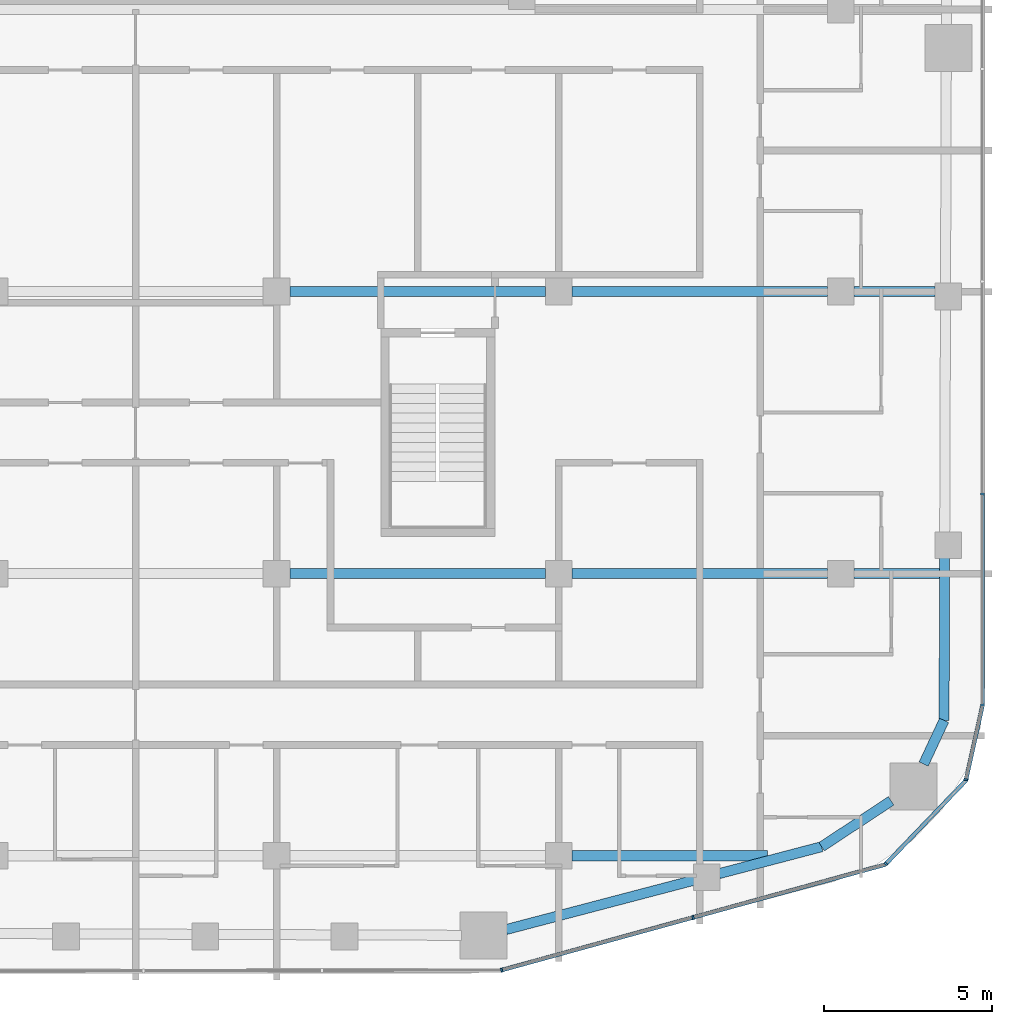
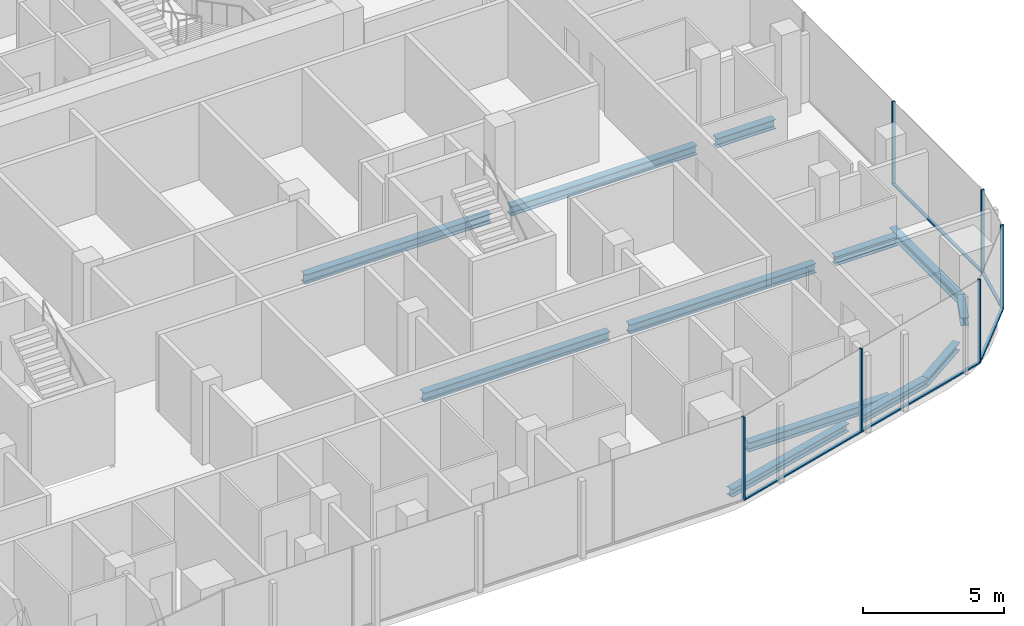
# One storey, part 6 of 22: 12 beams, 11 members, 4 elements without a shape of their own.
"""IFC4 building model written with IfcOpenShell, lengths in metres."""

from ifc_helpers import new_model, si_unit, direction, frame, origin, origin_2d, place, context, subcontext, project, spatial, rectangle, i_section, extrude, material, layer, layer_set, material_profile, profile_set, type_object, element, aggregate, save


model = new_model("IFC4")

# Units and contexts
model_context = context("Model", 3, precision=1e-05, world=origin(), true_north=direction((0.0, 1.0)))
body_context = subcontext(model_context, "Body", "Model", "MODEL_VIEW")
ifc_project = project(units=[si_unit("LENGTHUNIT", "METRE"), si_unit("AREAUNIT", "SQUARE_METRE"), si_unit("VOLUMEUNIT", "CUBIC_METRE"), si_unit("PLANEANGLEUNIT", "RADIAN"), si_unit("MASSUNIT", "GRAM", prefix="KILO")], contexts=[model_context])

# Site, building, storey
site_placement = place(None, origin())
site = spatial("IfcSite", under=ifc_project, at=site_placement, CompositionType="ELEMENT")
building_placement = place(site_placement, origin())
building = spatial("IfcBuilding", under=site, at=building_placement, Name="Marenta Gate Hotel Tower", CompositionType="ELEMENT")
storey_placement = place(building_placement, frame((0.0, 0.0, 209.300048828125)))
storey = spatial("IfcBuildingStorey", under=building, at=storey_placement, Name="L48", CompositionType="ELEMENT", Elevation=209.300048828125)

# Beams
ifc_material_1 = material(Name="Steel S355", Category="steel")
ifc_material_profile_1 = material_profile(ifc_material_1, i_section(OverallWidth=0.300048828125, OverallDepth=0.340087890625, WebThickness=0.011962890625, FlangeThickness=0.021484375, FilletRadius=0.027099609375, at=origin_2d()), Name="HEB 340")
ifc_profile_set_1 = profile_set([ifc_material_profile_1], Name="Steel S355")
beam_type_1 = type_object("IfcBeamType", Name="Edge beam HEB 340", PredefinedType="SPANDREL", material=ifc_profile_set_1)
beam_1_placement = place(storey_placement, frame((24.09130859375, -16.31201171875, -0.429931640625), z_axis=(-0.003318732666, -0.999994492992, 0.0), x_axis=(0.999994492992, -0.003318732666, 0.0)))
element("IfcBeam", 1, at=beam_1_placement, inside=storey, type_object=beam_type_1, Name="L48-EB-27", PredefinedType="SPANDREL", context=body_context, shape_type="SweptSolid", body=[
    extrude(i_section(OverallWidth=0.300048828125, OverallDepth=0.340087890625, WebThickness=0.011962890625, FlangeThickness=0.021484375, FilletRadius=0.027099609375, at=origin_2d()), origin(), (0.0, 0.0, 1.0), 4.855224609375),
])
beam_2_placement = place(storey_placement, frame((24.0751953125, -21.167236328125, -0.429931640625), z_axis=(-0.423341112024, -0.905970365338, 0.0), x_axis=(0.905970365338, -0.423341112024, 0.0)))
element("IfcBeam", 2, at=beam_2_placement, inside=storey, type_object=beam_type_1, Name="L48-EB-28", PredefinedType="SPANDREL", context=body_context, shape_type="SweptSolid", body=[
    extrude(i_section(OverallWidth=0.300048828125, OverallDepth=0.340087890625, WebThickness=0.011962890625, FlangeThickness=0.021484375, FilletRadius=0.027099609375, at=origin_2d()), origin(), (0.0, 0.0, 1.0), 1.437255859375),
])
beam_3_placement = place(storey_placement, frame((22.496337890625, -23.56640625, -0.429931640625), z_axis=(-0.834528740585, -0.550964410047, 0.0), x_axis=(0.550964410047, -0.834528740585, 0.0)))
element("IfcBeam", 3, at=beam_3_placement, inside=storey, type_object=beam_type_1, Name="L48-EB-29", PredefinedType="SPANDREL", context=body_context, shape_type="SweptSolid", body=[
    extrude(i_section(OverallWidth=0.300048828125, OverallDepth=0.340087890625, WebThickness=0.011962890625, FlangeThickness=0.021484375, FilletRadius=0.027099609375, at=origin_2d()), origin(), (0.0, 0.0, 1.0), 2.47705078125),
])
beam_4_placement = place(storey_placement, frame((20.42919921875, -24.93115234375, -0.429931640625), z_axis=(-0.967235227858, -0.253881889845, 0.0), x_axis=(0.253881889845, -0.967235227858, 0.0)))
element("IfcBeam", 4, at=beam_4_placement, inside=storey, type_object=beam_type_1, Name="L48-EB-30", PredefinedType="SPANDREL", context=body_context, shape_type="SweptSolid", body=[
    extrude(i_section(OverallWidth=0.300048828125, OverallDepth=0.340087890625, WebThickness=0.011962890625, FlangeThickness=0.021484375, FilletRadius=0.027099609375, at=origin_2d()), origin(), (0.0, 0.0, 1.0), 3.164794921875),
])
beam_5_placement = place(storey_placement, frame((16.6455078125, -25.92431640625, -0.429931640625), z_axis=(-0.96723496524, -0.253882890359, 0.0), x_axis=(0.253882890359, -0.96723496524, 0.0)))
element("IfcBeam", 5, at=beam_5_placement, inside=storey, type_object=beam_type_1, Name="L48-EB-31", PredefinedType="SPANDREL", context=body_context, shape_type="SweptSolid", body=[
    extrude(i_section(OverallWidth=0.300048828125, OverallDepth=0.340087890625, WebThickness=0.011962890625, FlangeThickness=0.021484375, FilletRadius=0.027099609375, at=origin_2d()), origin(), (0.0, 0.0, 1.0), 5.80810546875),
])
ifc_material_2 = material(Name="Steel S355", Category="steel")
ifc_material_profile_2 = material_profile(ifc_material_2, i_section(OverallWidth=0.300048828125, OverallDepth=0.39990234375, WebThickness=0.013427734375, FlangeThickness=0.02392578125, FilletRadius=0.027099609375, at=origin_2d()), Name="HEB 400")
ifc_profile_set_2 = profile_set([ifc_material_profile_2], Name="Steel S355")
beam_type_2 = type_object("IfcBeamType", Name="Girder HEB 400", PredefinedType="BEAM", material=ifc_profile_set_2)
beam_6_placement = place(storey_placement, frame((13.0, -25.199951171875, -0.4599609375), z_axis=(1.0, 0.0, 0.0), x_axis=(0.0, 1.0, 0.0)))
element("IfcBeam", 6, at=beam_6_placement, inside=storey, type_object=beam_type_2, Name="L48-GD-5", PredefinedType="BEAM", context=body_context, shape_type="SweptSolid", body=[
    extrude(i_section(OverallWidth=0.300048828125, OverallDepth=0.39990234375, WebThickness=0.013427734375, FlangeThickness=0.02392578125, FilletRadius=0.027099609375, at=origin_2d()), origin(), (0.0, 0.0, 1.0), 5.81396484375),
])
beam_7_placement = place(storey_placement, frame((4.60009765625, -16.800048828125, -0.4599609375), z_axis=(1.0, 0.0, 0.0), x_axis=(0.0, 1.0, 0.0)))
element("IfcBeam", 7, at=beam_7_placement, inside=storey, type_object=beam_type_2, Name="L48-GD-10", PredefinedType="BEAM", context=body_context, shape_type="SweptSolid", body=[
    extrude(i_section(OverallWidth=0.300048828125, OverallDepth=0.39990234375, WebThickness=0.013427734375, FlangeThickness=0.02392578125, FilletRadius=0.027099609375, at=origin_2d()), origin(), (0.0, 0.0, 1.0), 7.599853515625),
])
beam_8_placement = place(storey_placement, frame((13.0, -16.800048828125, -0.4599609375), z_axis=(1.0, 0.0, 0.0), x_axis=(0.0, 1.0, 0.0)))
element("IfcBeam", 8, at=beam_8_placement, inside=storey, type_object=beam_type_2, Name="L48-GD-11", PredefinedType="BEAM", context=body_context, shape_type="SweptSolid", body=[
    extrude(i_section(OverallWidth=0.300048828125, OverallDepth=0.39990234375, WebThickness=0.013427734375, FlangeThickness=0.02392578125, FilletRadius=0.027099609375, at=origin_2d()), origin(), (0.0, 0.0, 1.0), 7.60009765625),
])
beam_9_placement = place(storey_placement, frame((21.39990234375, -16.800048828125, -0.4599609375), z_axis=(1.0, 0.0, 0.0), x_axis=(0.0, 1.0, 0.0)))
element("IfcBeam", 9, at=beam_9_placement, inside=storey, type_object=beam_type_2, Name="L48-GD-12", PredefinedType="BEAM", context=body_context, shape_type="SweptSolid", body=[
    extrude(i_section(OverallWidth=0.300048828125, OverallDepth=0.39990234375, WebThickness=0.013427734375, FlangeThickness=0.02392578125, FilletRadius=0.027099609375, at=origin_2d()), origin(), (0.0, 0.0, 1.0), 2.539794921875),
])
beam_10_placement = place(storey_placement, frame((4.60009765625, -8.39990234375, -0.4599609375), z_axis=(1.0, 0.0, 0.0), x_axis=(0.0, 1.0, 0.0)))
element("IfcBeam", 10, at=beam_10_placement, inside=storey, type_object=beam_type_2, Name="L48-GD-17", PredefinedType="BEAM", context=body_context, shape_type="SweptSolid", body=[
    extrude(i_section(OverallWidth=0.300048828125, OverallDepth=0.39990234375, WebThickness=0.013427734375, FlangeThickness=0.02392578125, FilletRadius=0.027099609375, at=origin_2d()), origin(), (0.0, 0.0, 1.0), 7.599853515625),
])
beam_11_placement = place(storey_placement, frame((13.0, -8.39990234375, -0.4599609375), z_axis=(1.0, 0.0, 0.0), x_axis=(0.0, 1.0, 0.0)))
element("IfcBeam", 11, at=beam_11_placement, inside=storey, type_object=beam_type_2, Name="L48-GD-18", PredefinedType="BEAM", context=body_context, shape_type="SweptSolid", body=[
    extrude(i_section(OverallWidth=0.300048828125, OverallDepth=0.39990234375, WebThickness=0.013427734375, FlangeThickness=0.02392578125, FilletRadius=0.027099609375, at=origin_2d()), origin(), (0.0, 0.0, 1.0), 7.60009765625),
])
beam_12_placement = place(storey_placement, frame((21.39990234375, -8.39990234375, -0.4599609375), z_axis=(1.0, 0.0, 0.0), x_axis=(0.0, 1.0, 0.0)))
element("IfcBeam", 12, at=beam_12_placement, inside=storey, type_object=beam_type_2, Name="L48-GD-19", PredefinedType="BEAM", context=body_context, shape_type="SweptSolid", body=[
    extrude(i_section(OverallWidth=0.300048828125, OverallDepth=0.39990234375, WebThickness=0.013427734375, FlangeThickness=0.02392578125, FilletRadius=0.027099609375, at=origin_2d()), origin(), (0.0, 0.0, 1.0), 2.400146484375),
])

# Curtain wall, members
ifc_material_3 = material(Name="Tinted insulated glass in bronze anodised frame", Category="glass")
ifc_layer = layer(ifc_material_3, 0.1201171875)
ifc_layer_set = layer_set([ifc_layer], Name="Tinted insulated glass in bronze anodised frame")
curtain_wall_type = type_object("IfcCurtainWallType", Name="Tower unitised curtain wall CW1", PredefinedType="NOTDEFINED", material=ifc_layer_set)
curtain_wall_1_placement = place(storey_placement, origin())
curtain_wall_1 = element("IfcCurtainWall", 13, at=curtain_wall_1_placement, inside=storey, type_object=curtain_wall_type, Name="CW1 run G08", PredefinedType="NOTDEFINED")
ifc_material_4 = material(Name="Bronze anodised aluminium", Category="aluminium")
ifc_material_profile_3 = material_profile(ifc_material_4, rectangle(XDim=0.1201171875, YDim=0.06005859375, at=origin_2d()), Name="Mullion CW1 60x120 bronze anodised aluminium")
ifc_profile_set_3 = profile_set([ifc_material_profile_3], Name="Bronze anodised aluminium")
member_type_1 = type_object("IfcMemberType", Name="Mullion CW1 60x120 bronze anodised aluminium", PredefinedType="MULLION", material=ifc_profile_set_3)
member_1_placement = place(storey_placement, frame((10.902587890625, -28.6044921875, 0.0), z_axis=(0.0, 0.0, 1.0), x_axis=(-0.265293272675, 0.964167765212, 0.0)))
member_1 = element("IfcMember", 14, at=member_1_placement, type_object=member_type_1, Name="CW1 mullion 1", PredefinedType="MULLION", context=body_context, shape_type="SweptSolid", body=[
    extrude(rectangle(XDim=0.1201171875, YDim=0.06005859375, at=origin_2d()), origin(), (0.0, 0.0, 1.0), 3.599853515625),
])
member_2_placement = place(storey_placement, frame((16.599365234375, -27.037109375, 0.0), z_axis=(0.0, 0.0, 1.0), x_axis=(-0.265293272675, 0.964167765212, 0.0)))
member_2 = element("IfcMember", 15, at=member_2_placement, type_object=member_type_1, Name="CW1 mullion 2", PredefinedType="MULLION", context=body_context, shape_type="SweptSolid", body=[
    extrude(rectangle(XDim=0.1201171875, YDim=0.06005859375, at=origin_2d()), origin(), (0.0, 0.0, 1.0), 3.599853515625),
])

# Curtain wall, member
curtain_wall_2_placement = place(storey_placement, origin())
curtain_wall_2 = element("IfcCurtainWall", 16, at=curtain_wall_2_placement, inside=storey, type_object=curtain_wall_type, Name="CW1 run G09", PredefinedType="NOTDEFINED")
member_3_placement = place(storey_placement, frame((22.345458984375, -25.43994140625, 0.0), z_axis=(0.0, 0.0, 1.0), x_axis=(-0.72137172224, 0.692548076564, 0.0)))
member_3 = element("IfcMember", 17, at=member_3_placement, type_object=member_type_1, Name="CW1 mullion 1", PredefinedType="MULLION", context=body_context, shape_type="SweptSolid", body=[
    extrude(rectangle(XDim=0.1201171875, YDim=0.06005859375, at=origin_2d()), origin(), (0.0, 0.0, 1.0), 3.599853515625),
])

curtain_wall_3_placement = place(storey_placement, origin())
curtain_wall_3 = element("IfcCurtainWall", 18, at=curtain_wall_3_placement, inside=storey, type_object=curtain_wall_type, Name="CW1 run G10", PredefinedType="NOTDEFINED")
member_4_placement = place(storey_placement, frame((24.726806640625, -22.937255859375, 0.0), z_axis=(0.0, 0.0, 1.0), x_axis=(-0.97620669183, 0.216842096529, 0.0)))
member_4 = element("IfcMember", 19, at=member_4_placement, type_object=member_type_1, Name="CW1 mullion 1", PredefinedType="MULLION", context=body_context, shape_type="SweptSolid", body=[
    extrude(rectangle(XDim=0.1201171875, YDim=0.06005859375, at=origin_2d()), origin(), (0.0, 0.0, 1.0), 3.599853515625),
])

# Curtain wall, members
curtain_wall_4_placement = place(storey_placement, origin())
curtain_wall_4 = element("IfcCurtainWall", 20, at=curtain_wall_4_placement, inside=storey, type_object=curtain_wall_type, Name="CW1 run G11", PredefinedType="NOTDEFINED")
member_5_placement = place(storey_placement, frame((25.214111328125, -20.7138671875, 0.0), z_axis=(0.0, 0.0, 1.0), x_axis=(-1.0, 0.0, 0.0)))
member_5 = element("IfcMember", 21, at=member_5_placement, type_object=member_type_1, Name="CW1 mullion 1", PredefinedType="MULLION", context=body_context, shape_type="SweptSolid", body=[
    extrude(rectangle(XDim=0.1201171875, YDim=0.06005859375, at=origin_2d()), origin(), (0.0, 0.0, 1.0), 3.599853515625),
])
member_6_placement = place(storey_placement, frame((25.214111328125, -14.42138671875, 0.0), z_axis=(0.0, 0.0, 1.0), x_axis=(-1.0, 0.0, 0.0)))
member_6 = element("IfcMember", 22, at=member_6_placement, type_object=member_type_1, Name="CW1 mullion 2", PredefinedType="MULLION", context=body_context, shape_type="SweptSolid", body=[
    extrude(rectangle(XDim=0.1201171875, YDim=0.06005859375, at=origin_2d()), origin(), (0.0, 0.0, 1.0), 3.599853515625),
])

# Member
ifc_material_5 = material(Name="Bronze anodised aluminium", Category="aluminium")
ifc_material_profile_4 = material_profile(ifc_material_5, rectangle(XDim=0.1201171875, YDim=0.06005859375, at=origin_2d()), Name="Transom CW1 60x120 bronze anodised aluminium")
ifc_profile_set_4 = profile_set([ifc_material_profile_4], Name="Bronze anodised aluminium")
member_type_2 = type_object("IfcMemberType", Name="Transom CW1 60x120 bronze anodised aluminium", PredefinedType="USERDEFINED", material=ifc_profile_set_4)
member_7_placement = place(storey_placement, frame((10.931640625, -28.5966796875, 0.030029296875), z_axis=(0.964166959812, 0.265296199758, 0.0), x_axis=(-0.265296199758, 0.964166959812, 0.0)))
member_7 = element("IfcMember", 23, at=member_7_placement, type_object=member_type_2, Name="CW1 transom 1.1", ObjectType="TRANSOM", PredefinedType="USERDEFINED", context=body_context, shape_type="SweptSolid", body=[
    extrude(rectangle(XDim=0.1201171875, YDim=0.06005859375, at=origin_2d()), origin(), (0.0, 0.0, 1.0), 5.84814453125),
])

member_8_placement = place(storey_placement, frame((16.628173828125, -27.029052734375, 0.030029296875), z_axis=(0.964169199953, 0.265288058274, 0.0), x_axis=(-0.265288058274, 0.964169199953, 0.0)))
member_8 = element("IfcMember", 24, at=member_8_placement, type_object=member_type_2, Name="CW1 transom 2.1", ObjectType="TRANSOM", PredefinedType="USERDEFINED", context=body_context, shape_type="SweptSolid", body=[
    extrude(rectangle(XDim=0.1201171875, YDim=0.06005859375, at=origin_2d()), origin(), (0.0, 0.0, 1.0), 5.908203125),
])

aggregate(curtain_wall_1, [member_1, member_2, member_7, member_8])

member_9_placement = place(storey_placement, frame((22.366455078125, -25.41845703125, 0.030029296875), z_axis=(0.692521361505, 0.721397368903, 0.0), x_axis=(-0.721397368903, 0.692521361505, 0.0)))
member_9 = element("IfcMember", 25, at=member_9_placement, type_object=member_type_2, Name="CW1 transom 1.1", ObjectType="TRANSOM", PredefinedType="USERDEFINED", context=body_context, shape_type="SweptSolid", body=[
    extrude(rectangle(XDim=0.1201171875, YDim=0.06005859375, at=origin_2d()), origin(), (0.0, 0.0, 1.0), 3.39892578125),
])

aggregate(curtain_wall_2, [member_3, member_9])

member_10_placement = place(storey_placement, frame((24.7333984375, -22.907958984375, 0.030029296875), z_axis=(0.216848830219, 0.976205196069, 0.0), x_axis=(-0.976205196069, 0.216848830219, 0.0)))
member_10 = element("IfcMember", 26, at=member_10_placement, type_object=member_type_2, Name="CW1 transom 1.1", ObjectType="TRANSOM", PredefinedType="USERDEFINED", context=body_context, shape_type="SweptSolid", body=[
    extrude(rectangle(XDim=0.1201171875, YDim=0.06005859375, at=origin_2d()), origin(), (0.0, 0.0, 1.0), 2.216796875),
])

aggregate(curtain_wall_3, [member_4, member_10])

member_11_placement = place(storey_placement, frame((25.214111328125, -20.683837890625, 0.030029296875), z_axis=(0.0, 1.0, 0.0), x_axis=(-1.0, 0.0, 0.0)))
member_11 = element("IfcMember", 27, at=member_11_placement, type_object=member_type_2, Name="CW1 transom 1.1", ObjectType="TRANSOM", PredefinedType="USERDEFINED", context=body_context, shape_type="SweptSolid", body=[
    extrude(rectangle(XDim=0.1201171875, YDim=0.06005859375, at=origin_2d()), origin(), (0.0, 0.0, 1.0), 6.232666015625),
])

aggregate(curtain_wall_4, [member_5, member_6, member_11])

save(model, "model.ifc")
